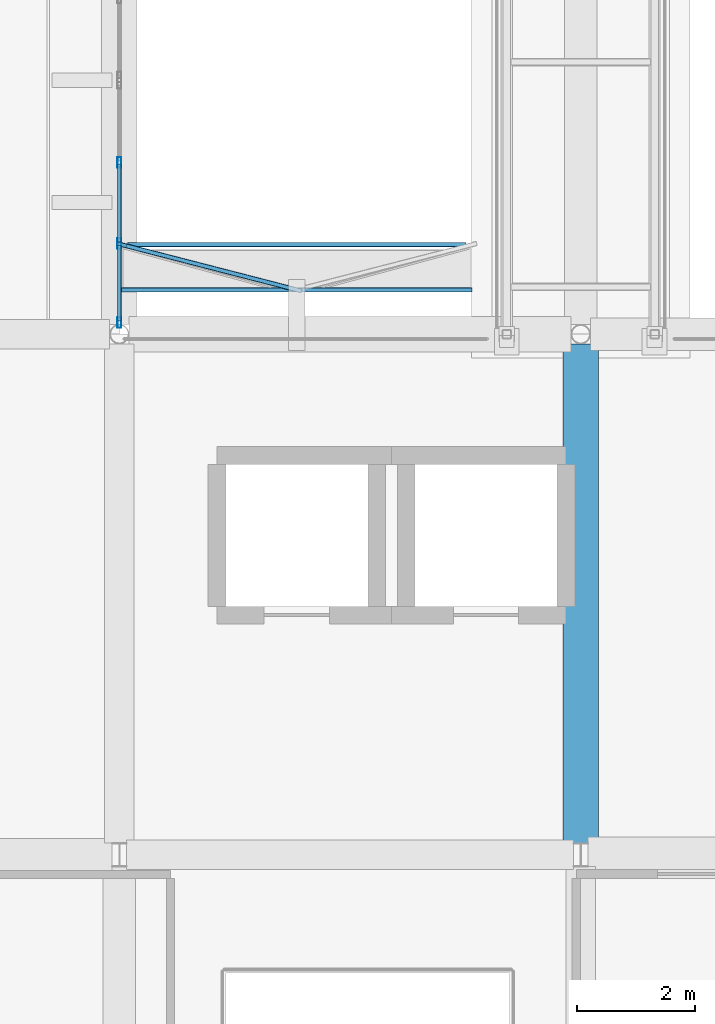
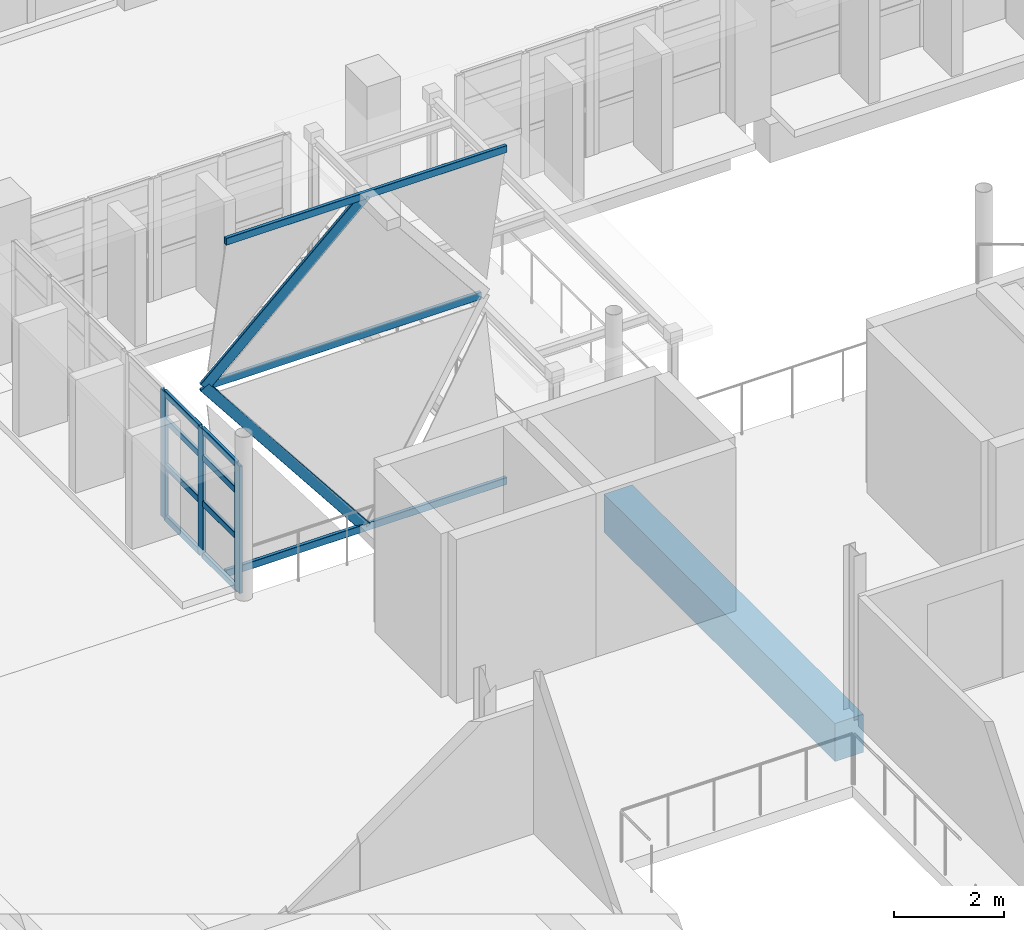
# One storey, part 10 of 80: 16 members, 1 beam, 2 elements without a shape of their own.
"""IFC4 building model written with IfcOpenShell, lengths in metres."""

from ifc_helpers import new_model, si_unit, direction, frame, origin, origin_2d, place, context, subcontext, project, spatial, rectangle, hollow_rectangle, extrude, material, material_profile, profile_set, type_object, element, aggregate, save


model = new_model("IFC4")

# Units and contexts
model_context = context("Model", 3, precision=1e-05, world=origin(), true_north=direction((0.0, 1.0)))
body_context = subcontext(model_context, "Body", "Model", "MODEL_VIEW")
ifc_project = project(units=[si_unit("LENGTHUNIT", "METRE"), si_unit("AREAUNIT", "SQUARE_METRE"), si_unit("VOLUMEUNIT", "CUBIC_METRE"), si_unit("PLANEANGLEUNIT", "RADIAN"), si_unit("MASSUNIT", "GRAM", prefix="KILO")], contexts=[model_context])

# Site, building, storey
site_placement = place(None, origin())
site = spatial("IfcSite", under=ifc_project, at=site_placement, CompositionType="ELEMENT")
building_placement = place(site_placement, origin())
building = spatial("IfcBuilding", under=site, at=building_placement, Name="Varnakota Cinema and Media Centre", CompositionType="ELEMENT")
storey_placement = place(building_placement, frame((0.0, 0.0, 4.5)))
storey = spatial("IfcBuildingStorey", under=building, at=storey_placement, Name="L01", CompositionType="ELEMENT", Elevation=4.5)

# Beam
ifc_material_1 = material(Name="Concrete M35", Category="concrete")
ifc_material_profile_1 = material_profile(ifc_material_1, rectangle(XDim=0.60009765625, YDim=0.85009765625, at=origin_2d()), Name="RCB 600x850")
ifc_profile_set_1 = profile_set([ifc_material_profile_1], Name="Concrete M35")
beam_type = type_object("IfcBeamType", Name="BM-RC-600x850", PredefinedType="BEAM", material=ifc_profile_set_1)
beam_placement = place(storey_placement, frame((59.39990234375, 17.800048828125, -0.675048828125), z_axis=(0.0, 1.0, 0.0), x_axis=(-1.0, 0.0, 0.0)))
element("IfcBeam", 1, at=beam_placement, inside=storey, type_object=beam_type, Name="L01 girder H/3-4", PredefinedType="BEAM", context=body_context, shape_type="SweptSolid", body=[
    extrude(rectangle(XDim=0.60009765625, YDim=0.85009765625, at=origin_2d()), origin(), (0.0, 0.0, 1.0), 8.43798828125),
])

# Curtain wall, members
ifc_material_2 = material(Name="Thermally broken anodised aluminium AW-6063", Category="aluminium")
curtain_wall_type_1 = type_object("IfcCurtainWallType", Name="CW-STD-411x284", PredefinedType="USERDEFINED", material=ifc_material_2)
curtain_wall_1_placement = place(storey_placement, origin())
curtain_wall_1 = element("IfcCurtainWall", 2, at=curtain_wall_1_placement, inside=storey, type_object=curtain_wall_type_1, Name="L01 curtain wall CW-L01-WLINK-E-01-1", ObjectType="UNITISED CURTAIN WALL", PredefinedType="USERDEFINED")
ifc_material_3 = material(Name="Thermally broken anodised aluminium AW-6063", Category="aluminium")
ifc_material_profile_2 = material_profile(ifc_material_3, hollow_rectangle(XDim=0.06494140625, YDim=0.179931640625, WallThickness=0.00390625, InnerFilletRadius=0.00390625, OuterFilletRadius=0.008056640625, at=origin_2d()), Name="AL-MULLION 180x65x4")
ifc_profile_set_2 = profile_set([ifc_material_profile_2], Name="Thermally broken anodised aluminium AW-6063")
member_type_1 = type_object("IfcMemberType", Name="CWM-AL-180", PredefinedType="MULLION", material=ifc_profile_set_2)
member_1_placement = place(storey_placement, frame((51.60009765625, 26.594482421875, 0.0), z_axis=(0.0, 0.0, 1.0), x_axis=(-1.0, 0.0, 0.0)))
member_1 = element("IfcMember", 3, at=member_1_placement, type_object=member_type_1, Name="CW24 mullion 1", PredefinedType="MULLION", context=body_context, shape_type="SweptSolid", body=[
    extrude(hollow_rectangle(XDim=0.06494140625, YDim=0.179931640625, WallThickness=0.00390625, InnerFilletRadius=0.00390625, OuterFilletRadius=0.008056640625, at=origin_2d()), origin(), (0.0, 0.0, 1.0), 2.8349609375),
])
member_2_placement = place(storey_placement, frame((51.60009765625, 27.9326171875, 0.0), z_axis=(0.0, 0.0, 1.0), x_axis=(-1.0, 0.0, 0.0)))
member_2 = element("IfcMember", 4, at=member_2_placement, type_object=member_type_1, Name="CW24 mullion 2", PredefinedType="MULLION", context=body_context, shape_type="SweptSolid", body=[
    extrude(hollow_rectangle(XDim=0.06494140625, YDim=0.179931640625, WallThickness=0.00390625, InnerFilletRadius=0.00390625, OuterFilletRadius=0.008056640625, at=origin_2d()), origin(), (0.0, 0.0, 1.0), 2.8349609375),
])
member_3_placement = place(storey_placement, frame((51.60009765625, 29.302978515625, 0.0), z_axis=(0.0, 0.0, 1.0), x_axis=(-1.0, 0.0, 0.0)))
member_3 = element("IfcMember", 5, at=member_3_placement, type_object=member_type_1, Name="CW24 mullion 3", PredefinedType="MULLION", context=body_context, shape_type="SweptSolid", body=[
    extrude(hollow_rectangle(XDim=0.06494140625, YDim=0.179931640625, WallThickness=0.00390625, InnerFilletRadius=0.00390625, OuterFilletRadius=0.008056640625, at=origin_2d()), origin(), (0.0, 0.0, 1.0), 2.8349609375),
])

ifc_material_4 = material(Name="Anodised golden-bronze aluminium AW-6063", Category="aluminium")
curtain_wall_type_2 = type_object("IfcCurtainWallType", Name="CW-DMD-600x750", PredefinedType="USERDEFINED", material=ifc_material_4)
curtain_wall_2_placement = place(storey_placement, origin())
curtain_wall_2 = element("IfcCurtainWall", 6, at=curtain_wall_2_placement, inside=storey, type_object=curtain_wall_type_2, Name="L01 folded diamond foyer curtain wall CW-V6DMD-N-T1W-D01", ObjectType="DIAMOND FOLDED CURTAIN WALL", PredefinedType="USERDEFINED")
ifc_material_5 = material(Name="Anodised golden-bronze aluminium AW-6063", Category="aluminium")
ifc_material_profile_3 = material_profile(ifc_material_5, hollow_rectangle(XDim=0.074951171875, YDim=0.219970703125, WallThickness=0.0048828125, InnerFilletRadius=0.0048828125, OuterFilletRadius=0.010009765625, at=origin_2d()), Name="AL-MULLION 220x75x5")
ifc_profile_set_3 = profile_set([ifc_material_profile_3], Name="Anodised golden-bronze aluminium AW-6063")
member_type_2 = type_object("IfcMemberType", Name="CWM-GOLD-220", PredefinedType="MULLION", material=ifc_profile_set_3)
member_4_placement = place(storey_placement, frame((54.60009765625, 27.14990234375, 0.050048828125), z_axis=(-0.616782619981, 0.158964592779, 0.77091468914), x_axis=(-0.249576080688, -0.968355193071, 0.0)))
member_4 = element("IfcMember", 7, at=member_4_placement, type_object=member_type_2, Name="CW-V6DMD-N-T1W-D01 folded diamond mullion 1", PredefinedType="MULLION", context=body_context, shape_type="SweptSolid", body=[
    extrude(hollow_rectangle(XDim=0.074951171875, YDim=0.219970703125, WallThickness=0.0048828125, InnerFilletRadius=0.0048828125, OuterFilletRadius=0.010009765625, at=origin_2d()), origin(), (0.0, 0.0, 1.0), 4.79931640625),
])
member_5_placement = place(storey_placement, frame((51.639892578125, 27.912841796875, 3.75), z_axis=(0.616782619981, -0.158964592779, 0.77091468914), x_axis=(0.249576080688, 0.968355193071, 0.0)))
member_5 = element("IfcMember", 8, at=member_5_placement, type_object=member_type_2, Name="CW-V6DMD-N-T1W-D01 folded diamond mullion 3", PredefinedType="MULLION", context=body_context, shape_type="SweptSolid", body=[
    extrude(hollow_rectangle(XDim=0.074951171875, YDim=0.219970703125, WallThickness=0.0048828125, InnerFilletRadius=0.0048828125, OuterFilletRadius=0.010009765625, at=origin_2d()), origin(), (0.0, 0.0, 1.0), 4.79931640625),
])

# Member
ifc_material_6 = material(Name="Thermally broken anodised aluminium AW-6063", Category="aluminium")
ifc_material_profile_4 = material_profile(ifc_material_6, hollow_rectangle(XDim=0.06494140625, YDim=0.139892578125, WallThickness=0.00390625, InnerFilletRadius=0.00390625, OuterFilletRadius=0.008056640625, at=origin_2d()), Name="AL-TRANSOM 140x65x4")
ifc_profile_set_4 = profile_set([ifc_material_profile_4], Name="Thermally broken anodised aluminium AW-6063")
member_type_3 = type_object("IfcMemberType", Name="CWT-AL-140", PredefinedType="USERDEFINED", material=ifc_profile_set_4)
member_6_placement = place(storey_placement, frame((51.60009765625, 26.626953125, 0.032470703125), z_axis=(0.0, 1.0, 0.0), x_axis=(-1.0, 0.0, 0.0)))
member_6 = element("IfcMember", 9, at=member_6_placement, type_object=member_type_3, Name="CW24 transom 1.1", ObjectType="TRANSOM", PredefinedType="USERDEFINED", context=body_context, shape_type="SweptSolid", body=[
    extrude(hollow_rectangle(XDim=0.06494140625, YDim=0.139892578125, WallThickness=0.00390625, InnerFilletRadius=0.00390625, OuterFilletRadius=0.008056640625, at=origin_2d()), origin(), (0.0, 0.0, 1.0), 1.27294921875),
])

member_7_placement = place(storey_placement, frame((51.60009765625, 26.626953125, 1.190673828125), z_axis=(0.0, 1.0, 0.0), x_axis=(-1.0, 0.0, 0.0)))
member_7 = element("IfcMember", 10, at=member_7_placement, type_object=member_type_3, Name="CW24 transom 1.2", ObjectType="TRANSOM", PredefinedType="USERDEFINED", context=body_context, shape_type="SweptSolid", body=[
    extrude(hollow_rectangle(XDim=0.06494140625, YDim=0.139892578125, WallThickness=0.00390625, InnerFilletRadius=0.00390625, OuterFilletRadius=0.008056640625, at=origin_2d()), origin(), (0.0, 0.0, 1.0), 1.27294921875),
])

member_8_placement = place(storey_placement, frame((51.60009765625, 26.626953125, 2.211181640625), z_axis=(0.0, 1.0, 0.0), x_axis=(-1.0, 0.0, 0.0)))
member_8 = element("IfcMember", 11, at=member_8_placement, type_object=member_type_3, Name="CW24 transom 1.3", ObjectType="TRANSOM", PredefinedType="USERDEFINED", context=body_context, shape_type="SweptSolid", body=[
    extrude(hollow_rectangle(XDim=0.06494140625, YDim=0.139892578125, WallThickness=0.00390625, InnerFilletRadius=0.00390625, OuterFilletRadius=0.008056640625, at=origin_2d()), origin(), (0.0, 0.0, 1.0), 1.27294921875),
])

member_9_placement = place(storey_placement, frame((51.60009765625, 26.626953125, 2.802490234375), z_axis=(0.0, 1.0, 0.0), x_axis=(-1.0, 0.0, 0.0)))
member_9 = element("IfcMember", 12, at=member_9_placement, type_object=member_type_3, Name="CW24 transom 1.4", ObjectType="TRANSOM", PredefinedType="USERDEFINED", context=body_context, shape_type="SweptSolid", body=[
    extrude(hollow_rectangle(XDim=0.06494140625, YDim=0.139892578125, WallThickness=0.00390625, InnerFilletRadius=0.00390625, OuterFilletRadius=0.008056640625, at=origin_2d()), origin(), (0.0, 0.0, 1.0), 1.27294921875),
])

member_10_placement = place(storey_placement, frame((51.60009765625, 27.965087890625, 0.032470703125), z_axis=(0.0, 1.0, 0.0), x_axis=(-1.0, 0.0, 0.0)))
member_10 = element("IfcMember", 13, at=member_10_placement, type_object=member_type_3, Name="CW24 transom 2.1", ObjectType="TRANSOM", PredefinedType="USERDEFINED", context=body_context, shape_type="SweptSolid", body=[
    extrude(hollow_rectangle(XDim=0.06494140625, YDim=0.139892578125, WallThickness=0.00390625, InnerFilletRadius=0.00390625, OuterFilletRadius=0.008056640625, at=origin_2d()), origin(), (0.0, 0.0, 1.0), 1.305419921875),
])

member_11_placement = place(storey_placement, frame((51.60009765625, 27.965087890625, 1.190673828125), z_axis=(0.0, 1.0, 0.0), x_axis=(-1.0, 0.0, 0.0)))
member_11 = element("IfcMember", 14, at=member_11_placement, type_object=member_type_3, Name="CW24 transom 2.2", ObjectType="TRANSOM", PredefinedType="USERDEFINED", context=body_context, shape_type="SweptSolid", body=[
    extrude(hollow_rectangle(XDim=0.06494140625, YDim=0.139892578125, WallThickness=0.00390625, InnerFilletRadius=0.00390625, OuterFilletRadius=0.008056640625, at=origin_2d()), origin(), (0.0, 0.0, 1.0), 1.305419921875),
])

member_12_placement = place(storey_placement, frame((51.60009765625, 27.965087890625, 2.211181640625), z_axis=(0.0, 1.0, 0.0), x_axis=(-1.0, 0.0, 0.0)))
member_12 = element("IfcMember", 15, at=member_12_placement, type_object=member_type_3, Name="CW24 transom 2.3", ObjectType="TRANSOM", PredefinedType="USERDEFINED", context=body_context, shape_type="SweptSolid", body=[
    extrude(hollow_rectangle(XDim=0.06494140625, YDim=0.139892578125, WallThickness=0.00390625, InnerFilletRadius=0.00390625, OuterFilletRadius=0.008056640625, at=origin_2d()), origin(), (0.0, 0.0, 1.0), 1.305419921875),
])

member_13_placement = place(storey_placement, frame((51.60009765625, 27.965087890625, 2.802490234375), z_axis=(0.0, 1.0, 0.0), x_axis=(-1.0, 0.0, 0.0)))
member_13 = element("IfcMember", 16, at=member_13_placement, type_object=member_type_3, Name="CW24 transom 2.4", ObjectType="TRANSOM", PredefinedType="USERDEFINED", context=body_context, shape_type="SweptSolid", body=[
    extrude(hollow_rectangle(XDim=0.06494140625, YDim=0.139892578125, WallThickness=0.00390625, InnerFilletRadius=0.00390625, OuterFilletRadius=0.008056640625, at=origin_2d()), origin(), (0.0, 0.0, 1.0), 1.305419921875),
])

aggregate(curtain_wall_1, [member_1, member_2, member_3, member_6, member_7, member_8, member_9, member_10, member_11, member_12, member_13])

ifc_material_7 = material(Name="Anodised golden-bronze aluminium AW-6063", Category="aluminium")
ifc_material_profile_5 = material_profile(ifc_material_7, hollow_rectangle(XDim=0.074951171875, YDim=0.159912109375, WallThickness=0.00390625, InnerFilletRadius=0.00390625, OuterFilletRadius=0.008056640625, at=origin_2d()), Name="AL-TRANSOM 160x75x4")
ifc_profile_set_5 = profile_set([ifc_material_profile_5], Name="Anodised golden-bronze aluminium AW-6063")
member_type_4 = type_object("IfcMemberType", Name="CWT-GOLD-160", PredefinedType="USERDEFINED", material=ifc_profile_set_5)
member_14_placement = place(storey_placement, frame((51.639892578125, 27.14990234375, 0.050048828125), z_axis=(1.0, 0.0, 0.0), x_axis=(0.0, 1.0, 0.0)))
member_14 = element("IfcMember", 17, at=member_14_placement, type_object=member_type_4, Name="CW-V6DMD-N-T1W-D01 folded diamond transom 1", ObjectType="TRANSOM", PredefinedType="USERDEFINED", context=body_context, shape_type="SweptSolid", body=[
    extrude(hollow_rectangle(XDim=0.074951171875, YDim=0.159912109375, WallThickness=0.00390625, InnerFilletRadius=0.00390625, OuterFilletRadius=0.008056640625, at=origin_2d()), origin(), (0.0, 0.0, 1.0), 5.920166015625),
])

member_15_placement = place(storey_placement, frame((51.739990234375, 27.912841796875, 3.75), z_axis=(1.0, 0.0, 0.0), x_axis=(0.0, 1.0, 0.0)))
member_15 = element("IfcMember", 18, at=member_15_placement, type_object=member_type_4, Name="CW-V6DMD-N-T1W-D01 folded diamond transom 2", ObjectType="TRANSOM", PredefinedType="USERDEFINED", context=body_context, shape_type="SweptSolid", body=[
    extrude(hollow_rectangle(XDim=0.074951171875, YDim=0.159912109375, WallThickness=0.00390625, InnerFilletRadius=0.00390625, OuterFilletRadius=0.008056640625, at=origin_2d()), origin(), (0.0, 0.0, 1.0), 5.719970703125),
])

member_16_placement = place(storey_placement, frame((51.639892578125, 27.14990234375, 7.449951171875), z_axis=(1.0, 0.0, 0.0), x_axis=(0.0, 1.0, 0.0)))
member_16 = element("IfcMember", 19, at=member_16_placement, type_object=member_type_4, Name="CW-V6DMD-N-T1W-D01 folded diamond transom 3", ObjectType="TRANSOM", PredefinedType="USERDEFINED", context=body_context, shape_type="SweptSolid", body=[
    extrude(hollow_rectangle(XDim=0.074951171875, YDim=0.159912109375, WallThickness=0.00390625, InnerFilletRadius=0.00390625, OuterFilletRadius=0.008056640625, at=origin_2d()), origin(), (0.0, 0.0, 1.0), 5.920166015625),
])

aggregate(curtain_wall_2, [member_4, member_5, member_14, member_15, member_16])

save(model, "model.ifc")
